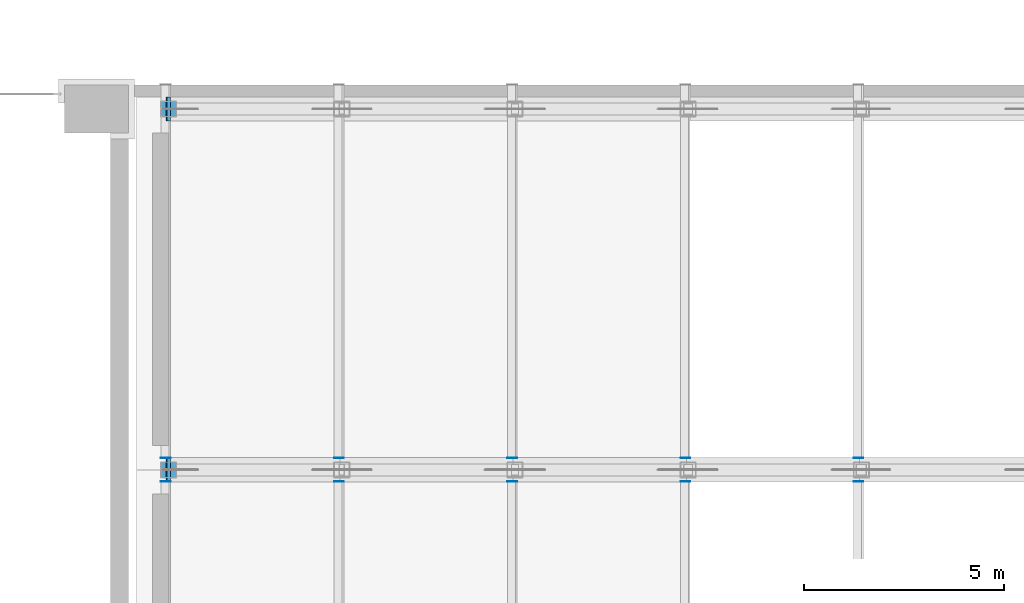
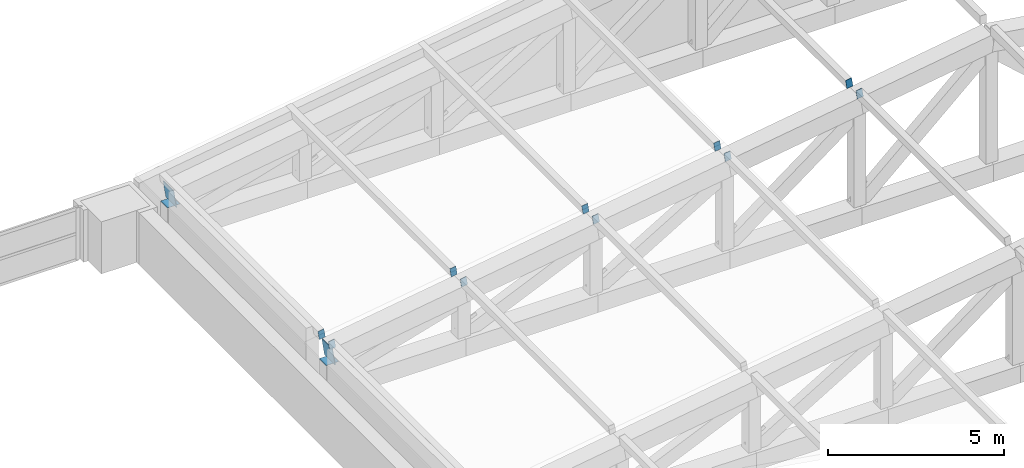
# One storey, part 24 of 32: 14 discrete accessories.
"""IFC4 building model written with IfcOpenShell, lengths in metres."""

from ifc_helpers import new_model, si_unit, direction, frame, origin, place, context, subcontext, project, spatial, polyline, outline, extrude, material, layer, layer_set, type_object, element, save


model = new_model("IFC4")

# Units and contexts
model_context = context("Model", 3, precision=1e-05, world=origin(), true_north=direction((0.0, 1.0)))
body_context = subcontext(model_context, "Body", "Model", "MODEL_VIEW")
ifc_project = project(units=[si_unit("LENGTHUNIT", "METRE"), si_unit("AREAUNIT", "SQUARE_METRE"), si_unit("VOLUMEUNIT", "CUBIC_METRE"), si_unit("PLANEANGLEUNIT", "RADIAN"), si_unit("MASSUNIT", "GRAM", prefix="KILO")], contexts=[model_context])

# Site, building, storey
site_placement = place(None, origin())
site = spatial("IfcSite", under=ifc_project, at=site_placement, CompositionType="ELEMENT")
building_placement = place(site_placement, origin())
building = spatial("IfcBuilding", under=site, at=building_placement, Name="Aravalli Gate Trade Fair Centre", CompositionType="ELEMENT")
storey_placement = place(building_placement, frame((0.0, 0.0, 23.39990234375)))
storey = spatial("IfcBuildingStorey", under=building, at=storey_placement, Name="ROOF LEVEL 1", CompositionType="ELEMENT", Elevation=23.39990234375)

# Discrete accessories
ifc_material = material(Name="Steel E350", Category="steel")
ifc_layer_1 = layer(ifc_material, 0.010009765625)
ifc_layer_set_1 = layer_set([ifc_layer_1], Name="Steel E350")
discrete_accessory_type_1 = type_object("IfcDiscreteAccessoryType", Name="End plate 200x300 x 10", PredefinedType="USERDEFINED", material=ifc_layer_set_1)
for number, where, z_axis, x_axis, name in (
    (1, (106.853515625, 99.7099609375, 1.811767578125), (0.0, 1.0, 0.0), (-0.988484290215, 0.0, -0.151323520971), "End plate Roof purlin line 1 bay 4 end B"),
    (2, (106.853515625, 100.300048828125, 1.811767578125), (0.0, 1.0, 0.0), (-0.988484290215, 0.0, -0.151323520971), "End plate Roof purlin line 1 bay 5 end A"),
):
    element("IfcDiscreteAccessory", number, at=place(storey_placement, frame(where, z_axis=z_axis, x_axis=x_axis)), inside=storey, type_object=discrete_accessory_type_1, Name=name, ObjectType="END CAP", PredefinedType="USERDEFINED", context=body_context, shape_type="SweptSolid", body=[
        extrude(outline(polyline([(0.0, 0.0), (0.2000577128110791, 0.0), (0.19981638363866344, 0.30004962499763155), (0.0, 0.30008656921661864), (0.0, 0.0)])), origin(), (0.0, 0.0, -1.0), 0.010009765625),
    ])
for number, where, z_axis, x_axis, name in (
    (3, (111.173583984375, 99.7099609375, 2.4716796875), (0.0, 1.0, 0.0), (-0.988484290215, 0.0, -0.151323520971), "End plate Roof purlin line 2 bay 4 end B"),
    (4, (111.173583984375, 100.300048828125, 2.4716796875), (0.0, 1.0, 0.0), (-0.988484290215, 0.0, -0.151323520971), "End plate Roof purlin line 2 bay 5 end A"),
):
    element("IfcDiscreteAccessory", number, at=place(storey_placement, frame(where, z_axis=z_axis, x_axis=x_axis)), inside=storey, type_object=discrete_accessory_type_1, Name=name, ObjectType="END CAP", PredefinedType="USERDEFINED", context=body_context, shape_type="SweptSolid", body=[
        extrude(outline(polyline([(0.0, 0.0), (0.2000577128110791, 0.0), (0.2000577128110791, 0.30008656921661864), (0.0, 0.30008656921661864), (0.0, 0.0)])), origin(), (0.0, 0.0, -1.0), 0.010009765625),
    ])
for number, where, z_axis, x_axis, name in (
    (5, (115.493408203125, 99.7099609375, 3.131591796875), (0.0, 1.0, 0.0), (-0.988638584823, 0.0, -0.150312170498), "End plate Roof purlin line 3 bay 4 end B"),
    (6, (115.493408203125, 100.300048828125, 3.131591796875), (0.0, 1.0, 0.0), (-0.988638584823, 0.0, -0.150312170498), "End plate Roof purlin line 3 bay 5 end A"),
):
    element("IfcDiscreteAccessory", number, at=place(storey_placement, frame(where, z_axis=z_axis, x_axis=x_axis)), inside=storey, type_object=discrete_accessory_type_1, Name=name, ObjectType="END CAP", PredefinedType="USERDEFINED", context=body_context, shape_type="SweptSolid", body=[
        extrude(outline(polyline([(0.0, 0.0), (0.19977954396796813, 3.469446951953614e-18), (0.20008654827008882, 0.3000864121758246), (6.563746012298866e-05, 0.300049714868574), (0.0, 0.0)])), origin(), (0.0, 0.0, -1.0), 0.010009765625),
    ])
for number, where, z_axis, x_axis, name in (
    (7, (119.8134765625, 99.7099609375, 3.791748046875), (0.0, 1.0, 0.0), (-0.988484290215, 0.0, -0.151323520971), "End plate Roof purlin line 4 bay 4 end B"),
    (8, (119.8134765625, 100.300048828125, 3.791748046875), (0.0, 1.0, 0.0), (-0.988484290215, 0.0, -0.151323520971), "End plate Roof purlin line 4 bay 5 end A"),
):
    element("IfcDiscreteAccessory", number, at=place(storey_placement, frame(where, z_axis=z_axis, x_axis=x_axis)), inside=storey, type_object=discrete_accessory_type_1, Name=name, ObjectType="END CAP", PredefinedType="USERDEFINED", context=body_context, shape_type="SweptSolid", body=[
        extrude(outline(polyline([(0.0, 0.0), (0.2000577128110791, 0.0), (0.19981638363866344, 0.30004962499763155), (-0.0002413291724156566, 0.30004962499763155), (0.0, 0.0)])), origin(), (0.0, 0.0, -1.0), 0.010009765625),
    ])
for number, where, z_axis, x_axis, name in (
    (9, (124.133544921875, 99.7099609375, 4.45166015625), (0.0, 1.0, 0.0), (-0.988484290215, 0.0, -0.151323520971), "End plate Roof purlin line 5 bay 4 end B"),
    (10, (124.133544921875, 100.300048828125, 4.45166015625), (0.0, 1.0, 0.0), (-0.988484290215, 0.0, -0.151323520971), "End plate Roof purlin line 5 bay 5 end A"),
):
    element("IfcDiscreteAccessory", number, at=place(storey_placement, frame(where, z_axis=z_axis, x_axis=x_axis)), inside=storey, type_object=discrete_accessory_type_1, Name=name, ObjectType="END CAP", PredefinedType="USERDEFINED", context=body_context, shape_type="SweptSolid", body=[
        extrude(outline(polyline([(0.0, 0.0), (0.2000577128110791, 0.0), (0.2000577128110791, 0.30008656921661864), (0.0, 0.30008656921661864), (0.0, 0.0)])), origin(), (0.0, 0.0, -1.0), 0.010009765625),
    ])
ifc_layer_2 = layer(ifc_material, 0.011962890625)
ifc_layer_set_2 = layer_set([ifc_layer_2], Name="Steel E350")
discrete_accessory_type_2 = type_object("IfcDiscreteAccessoryType", Name="End plate 400x400 x 12", PredefinedType="USERDEFINED", material=ifc_layer_set_2)
for number, where, z_axis, x_axis, name in (
    (11, (106.60009765625, 99.800048828125, 1.20849609375), (0.0, 0.0, 1.0), (1.0, 0.0, 0.0), "End plate Roof truss 100 post 0 end B"),
    (12, (106.60009765625, 108.800048828125, 1.20849609375), (0.0, 0.0, 1.0), (1.0, 0.0, 0.0), "End plate Roof truss 109 post 0 end B"),
):
    element("IfcDiscreteAccessory", number, at=place(storey_placement, frame(where, z_axis=z_axis, x_axis=x_axis)), inside=storey, type_object=discrete_accessory_type_2, Name=name, ObjectType="END CAP", PredefinedType="USERDEFINED", context=body_context, shape_type="SweptSolid", body=[
        extrude(outline(polyline([(0.0, 0.0), (0.39990234375, 0.0), (0.39990234375, 0.39990234375), (0.0, 0.39990234375), (0.0, 0.0)])), origin(), (0.0, 0.0, -1.0), 0.011962890625),
    ])
ifc_layer_3 = layer(ifc_material, 0.01611328125)
ifc_layer_set_3 = layer_set([ifc_layer_3], Name="Steel E350")
discrete_accessory_type_3 = type_object("IfcDiscreteAccessoryType", Name="End plate 600x600 x 16", PredefinedType="USERDEFINED", material=ifc_layer_set_3)
for number, where, z_axis, x_axis, name in (
    (13, (106.84521484375, 99.699951171875, 1.20361328125), (0.98853578896, 0.0, 0.150986734337), (0.0, 1.0, 0.0), "End plate Roof truss 100 top chord 1 end A"),
    (14, (106.84521484375, 108.699951171875, 1.20361328125), (0.98853578896, 0.0, 0.150986734337), (0.0, 1.0, 0.0), "End plate Roof truss 109 top chord 1 end A"),
):
    element("IfcDiscreteAccessory", number, at=place(storey_placement, frame(where, z_axis=z_axis, x_axis=x_axis)), inside=storey, type_object=discrete_accessory_type_3, Name=name, ObjectType="END CAP", PredefinedType="USERDEFINED", context=body_context, shape_type="SweptSolid", body=[
        extrude(outline(polyline([(0.0, 0.0), (0.60009765625, 0.0), (0.60009765625, 0.5998948998589421), (0.0, 0.5998948998589421), (0.0, 0.0)])), origin(), (0.0, 0.0, -1.0), 0.01611328125),
    ])

save(model, "model.ifc")
